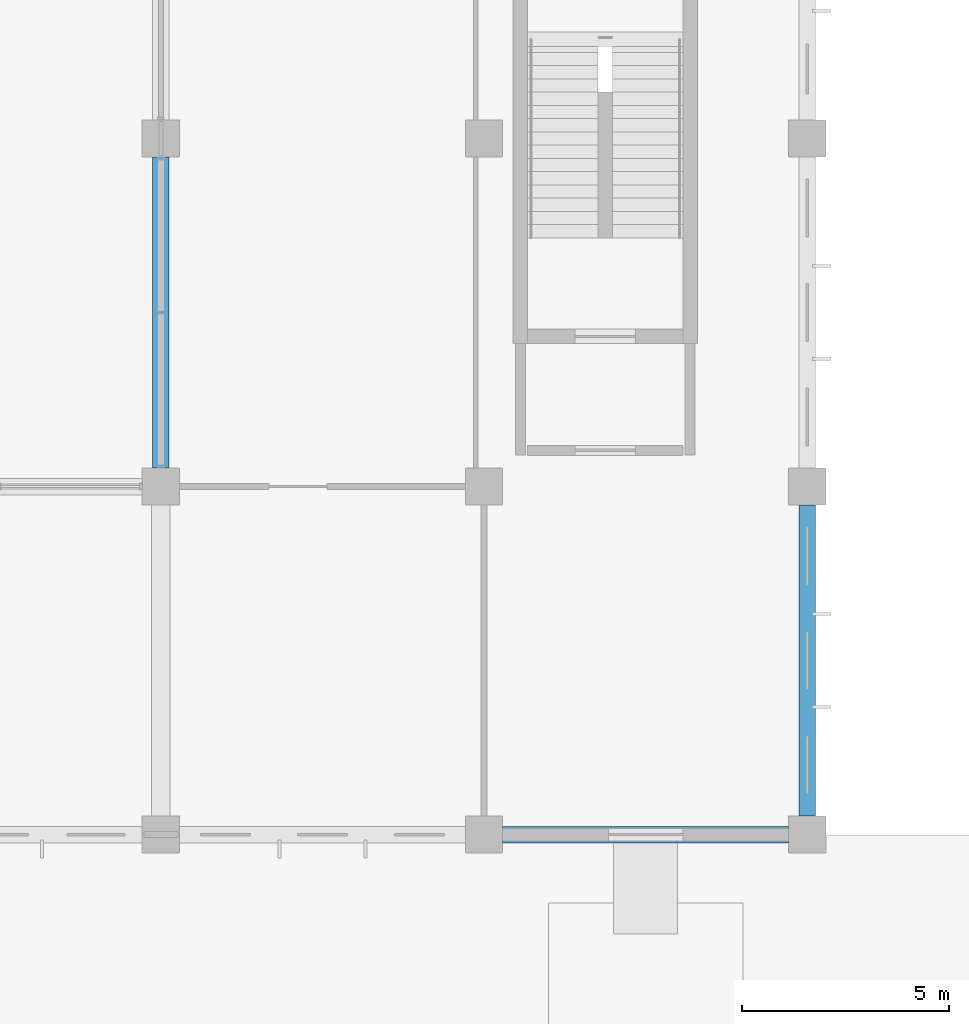
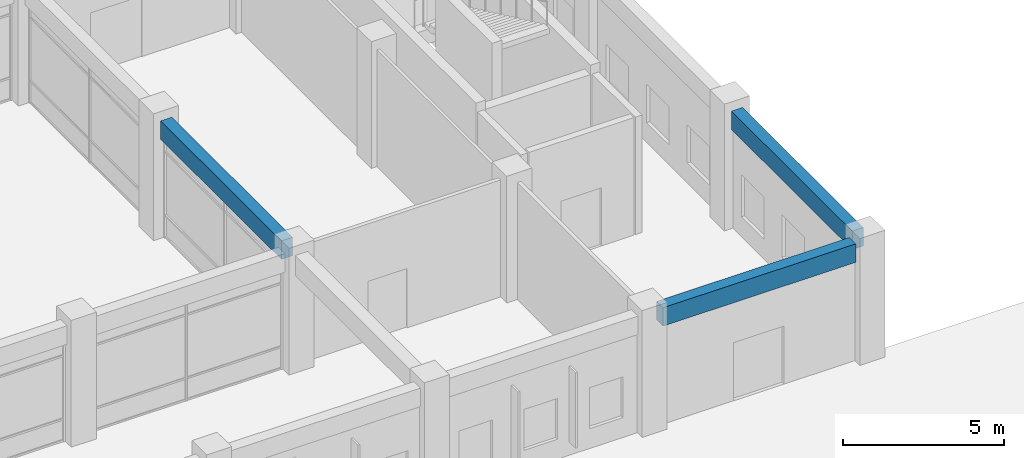
# One storey, part 34 of 74: 3 beams.
"""IFC4 building model written with IfcOpenShell, lengths in metres."""

from ifc_helpers import new_model, si_unit, direction, frame, origin, origin_2d, place, context, subcontext, project, spatial, rectangle, extrude, material, material_profile, profile_set, type_object, element, save


model = new_model("IFC4")

# Units and contexts
model_context = context("Model", 3, precision=1e-05, world=origin(), true_north=direction((0.0, 1.0)))
body_context = subcontext(model_context, "Body", "Model", "MODEL_VIEW")
ifc_project = project(units=[si_unit("LENGTHUNIT", "METRE"), si_unit("AREAUNIT", "SQUARE_METRE"), si_unit("VOLUMEUNIT", "CUBIC_METRE"), si_unit("PLANEANGLEUNIT", "RADIAN"), si_unit("MASSUNIT", "GRAM", prefix="KILO"), si_unit("THERMODYNAMICTEMPERATUREUNIT", "KELVIN"), si_unit("POWERUNIT", "WATT")], contexts=[model_context])

# Site, building, storey
site_placement = place(None, origin())
site = spatial("IfcSite", under=ifc_project, at=site_placement, CompositionType="ELEMENT")
building_placement = place(site_placement, origin())
building = spatial("IfcBuilding", under=site, at=building_placement, Name="Srebrne Nadtorze General Hospital", CompositionType="ELEMENT")
storey_placement = place(building_placement, origin())
storey = spatial("IfcBuildingStorey", under=building, at=storey_placement, Name="L00", CompositionType="ELEMENT", Elevation=0.0)

# Beams
ifc_material = material(Name="Concrete C40/50", Category="concrete")
ifc_material_profile = material_profile(ifc_material, rectangle(XDim=0.39990234375, YDim=0.699951171875, at=origin_2d()), Name="RC-BM-400x700")
ifc_profile_set = profile_set([ifc_material_profile], Name="Concrete C40/50")
beam_type = type_object("IfcBeamType", Name="Edge beam RC 400x700", PredefinedType="BEAM", material=ifc_profile_set)
beam_placement = place(storey_placement, frame((140.85009765625, 0.0, 4.10009765625), z_axis=(1.0, 0.0, 0.0), x_axis=(0.0, 1.0, 0.0)))
element("IfcBeam", 1, at=beam_placement, inside=storey, type_object=beam_type, Name="Beam BM-L00-X-0196", PredefinedType="BEAM", context=body_context, shape_type="SweptSolid", body=[
    extrude(rectangle(XDim=0.39990234375, YDim=0.699951171875, at=origin_2d()), origin(), (0.0, 0.0, 1.0), 6.89990234375),
])
for number, where, z_axis, x_axis, name in (
    (2, (132.60009765625, 8.85009765625, 4.10009765625), (0.0, 1.0, 0.0), (-1.0, 0.0, 0.0), "Beam BM-L00-Y-0341"),
    (3, (148.199951171875, 0.449951171875, 4.10009765625), (0.0, 1.0, 0.0), (-1.0, 0.0, 0.0), "Beam BM-L00-Y-0353"),
):
    element("IfcBeam", number, at=place(storey_placement, frame(where, z_axis=z_axis, x_axis=x_axis)), inside=storey, type_object=beam_type, Name=name, PredefinedType="BEAM", context=body_context, shape_type="SweptSolid", body=[
        extrude(rectangle(XDim=0.39990234375, YDim=0.699951171875, at=origin_2d()), origin(), (0.0, 0.0, 1.0), 7.5),
    ])

save(model, "model.ifc")
